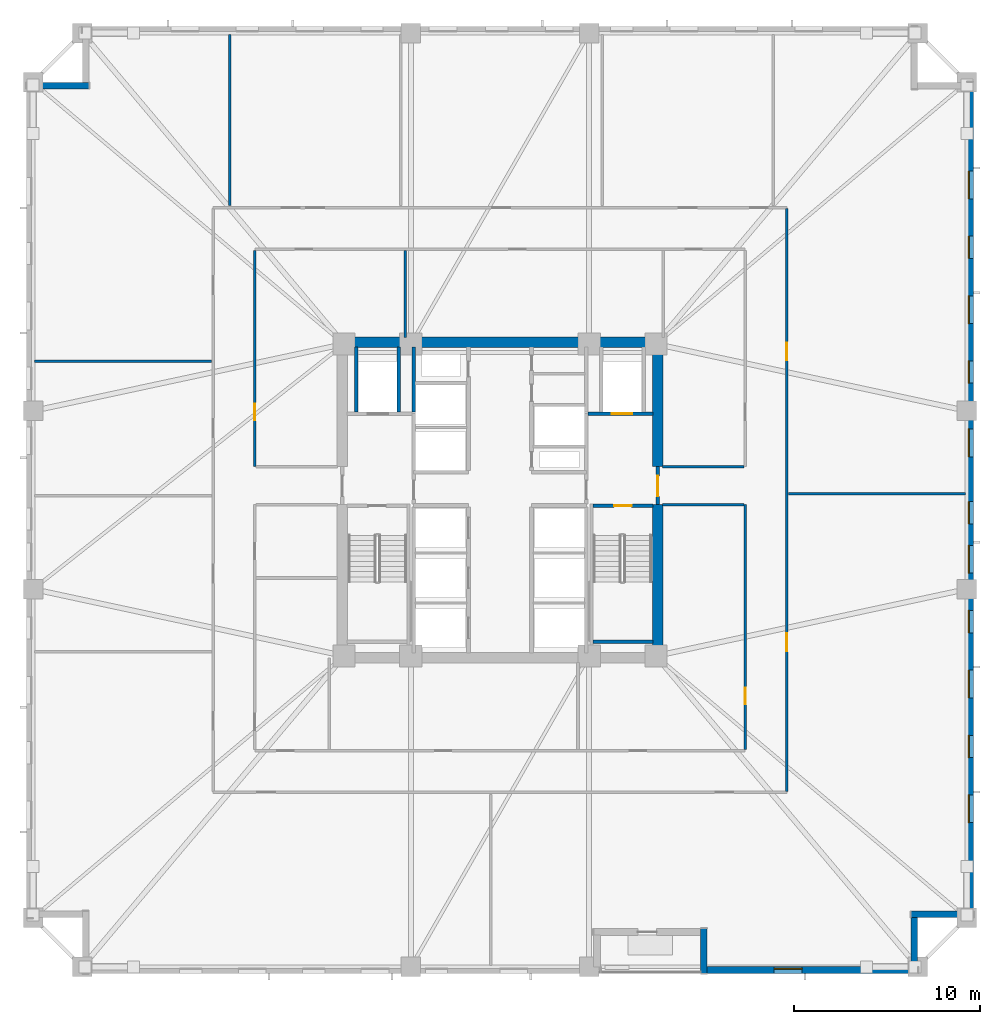
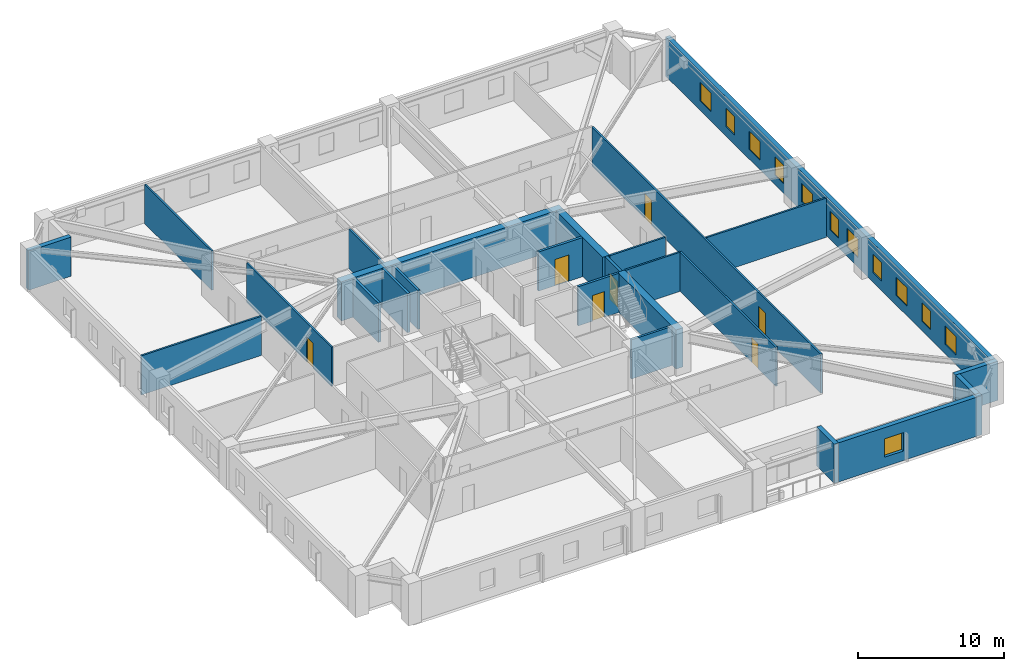
# One storey, part 4 of 11: 25 walls, 12 windows, 7 doors, 19 openings.
"""IFC4 building model written with IfcOpenShell, lengths in metres."""

from ifc_helpers import new_model, si_unit, direction, frame, frame_2d, origin, place, context, subcontext, project, spatial, rectangle, extrude, material, layer, layer_set, type_object, element, fill, save


model = new_model("IFC4")

# Units and contexts
model_context = context("Model", 3, precision=1e-05, world=origin(), true_north=direction((0.0, 1.0)))
body_context = subcontext(model_context, "Body", "Model", "MODEL_VIEW")
ifc_project = project(units=[si_unit("LENGTHUNIT", "METRE"), si_unit("AREAUNIT", "SQUARE_METRE"), si_unit("VOLUMEUNIT", "CUBIC_METRE"), si_unit("PLANEANGLEUNIT", "RADIAN"), si_unit("MASSUNIT", "GRAM", prefix="KILO")], contexts=[model_context])

# Site, building, storey
site_placement = place(None, origin())
site = spatial("IfcSite", under=ifc_project, at=site_placement, CompositionType="ELEMENT")
building_placement = place(site_placement, origin())
building = spatial("IfcBuilding", under=site, at=building_placement, Name="Cairnveth Concourse Tower", CompositionType="ELEMENT")
storey_placement = place(building_placement, frame((0.0, 0.0, 44.5)))
storey = spatial("IfcBuildingStorey", under=building, at=storey_placement, Name="L11", CompositionType="ELEMENT", Elevation=44.5)

# Walls
ifc_material_1 = material(Name="Concrete N80 (80 MPa)", Category="concrete")
ifc_layer_1 = layer(ifc_material_1, 0.550048828125)
ifc_layer_set_1 = layer_set([ifc_layer_1], Name="Concrete N80 (80 MPa)")
wall_type_1 = type_object("IfcWallType", Name="CORE SHEAR WALL 550", PredefinedType="SHEAR", material=ifc_layer_set_1)
wall_1_placement = place(storey_placement, frame((43.22509765625, 47.5, 0.0), z_axis=(0.0, 0.0, 1.0), x_axis=(1.0, 0.0, 0.0)))
element("IfcWall", 1, at=wall_1_placement, inside=storey, type_object=wall_type_1, Name="Core North Shear Wall L11", PredefinedType="SHEAR", context=body_context, shape_type="SweptSolid", body=[
    extrude(rectangle(XDim=17.5498046875, YDim=0.550048828125, at=frame_2d((8.77490234375, 0.0))), origin(), (0.0, 0.0, 1.0), 3.280029296875),
])
wall_2_placement = place(storey_placement, frame((60.5, 30.764892578125, 0.0), z_axis=(0.0, 0.0, 1.0), x_axis=(0.0, 1.0, 0.0)))
element("IfcWall", 2, at=wall_2_placement, inside=storey, type_object=wall_type_1, Name="Core East Shear Wall S L11", PredefinedType="SHEAR", context=body_context, shape_type="SweptSolid", body=[
    extrude(rectangle(XDim=7.985107421875, YDim=0.550048828125, at=frame_2d((3.99267578125, 0.0))), origin(), (0.0, 0.0, 1.0), 3.280029296875),
])
wall_3_placement = place(storey_placement, frame((60.5, 40.800048828125, 0.0), z_axis=(0.0, 0.0, 1.0), x_axis=(0.0, 1.0, 0.0)))
element("IfcWall", 3, at=wall_3_placement, inside=storey, type_object=wall_type_1, Name="Core East Shear Wall N L11", PredefinedType="SHEAR", context=body_context, shape_type="SweptSolid", body=[
    extrude(rectangle(XDim=6.43505859375, YDim=0.550048828125, at=frame_2d((3.217529296875, 0.0))), origin(), (0.0, 0.0, 1.0), 3.280029296875),
])
ifc_material_2 = material(Name="Concrete N50 (50 MPa)", Category="concrete")
ifc_layer_2 = layer(ifc_material_2, 0.179931640625)
ifc_layer_set_2 = layer_set([ifc_layer_2], Name="Concrete N50 (50 MPa)")
wall_type_2 = type_object("IfcWallType", Name="FIRE SHAFT WALL 180", PredefinedType="SOLIDWALL", material=ifc_layer_set_2)
wall_4_placement = place(storey_placement, frame((47.35009765625, 43.735107421875, 0.0), z_axis=(0.0, 0.0, 1.0), x_axis=(0.0, 1.0, 0.0)))
element("IfcWall", 4, at=wall_4_placement, inside=storey, type_object=wall_type_2, Name="Interior Wall IW-L11-031", PredefinedType="SOLIDWALL", context=body_context, shape_type="SweptSolid", body=[
    extrude(rectangle(XDim=3.5048828125, YDim=0.179931640625, at=frame_2d((1.75244140625, 0.0))), origin(), (0.0, 0.0, 1.0), 3.280029296875),
])

# Wall, opening, door
wall_5_placement = place(storey_placement, frame((57.0048828125, 38.68994140625, 0.0), z_axis=(0.0, 0.0, 1.0), x_axis=(1.0, 0.0, 0.0)))
wall_5 = element("IfcWall", 5, at=wall_5_placement, inside=storey, type_object=wall_type_2, Name="Stair ST-2 Shaft Wall NEAR L11", PredefinedType="SOLIDWALL", context=body_context, shape_type="SweptSolid", body=[
    extrude(rectangle(XDim=3.230224609375, YDim=0.179931640625, at=frame_2d((1.615234375, 0.0))), origin(), (0.0, 0.0, 1.0), 3.280029296875),
])
opening_1_placement = place(wall_5_placement, frame((1.139892578125, 0.0, 0.0)))
opening_1 = element("IfcOpeningElement", 6, at=opening_1_placement, cuts=wall_5, Name="Opening ID12", PredefinedType="OPENING", context=body_context, shape_type="SweptSolid", body=[
    extrude(rectangle(XDim=0.949951171875, YDim=2.14990234375, at=frame_2d((0.47509765625, 1.074951171875))), frame((0.0, 0.099853515625, 0.0), z_axis=(0.0, -1.0, 0.0), x_axis=(1.0, 0.0, 0.0)), (0.0, 0.0, 1.0), 0.199951171875),
])
ifc_material_3 = material(Name="Steel Grade 350", Category="steel")
door_type_1 = type_object("IfcDoorType", Name="FIRE STAIR DOOR 950X2150", OperationType="NOTDEFINED", PredefinedType="DOOR", material=ifc_material_3)
door_1_placement = place(opening_1_placement, origin())
door_1 = element("IfcDoor", 7, at=door_1_placement, inside=storey, type_object=door_type_1, Name="Stair ST-2 Fire Door L11", OperationType="SINGLE_SWING_RIGHT", OverallHeight=2.14990234375, OverallWidth=0.949951171875, PredefinedType="DOOR", context=body_context, shape_type="SweptSolid", body=[
    extrude(rectangle(XDim=0.949951171875, YDim=2.14990234375, at=frame_2d((0.47509765625, 1.074951171875))), frame((0.0, 0.02490234375, 0.0), z_axis=(0.0, -1.0, 0.0), x_axis=(1.0, 0.0, 0.0)), (0.0, 0.0, 1.0), 0.050048828125),
])
fill(opening_1, door_1)

# Walls
wall_6_placement = place(storey_placement, frame((57.0048828125, 31.360107421875, 0.0), z_axis=(0.0, 0.0, 1.0), x_axis=(1.0, 0.0, 0.0)))
element("IfcWall", 8, at=wall_6_placement, inside=storey, type_object=wall_type_2, Name="Stair ST-2 Shaft Wall FAR L11", PredefinedType="SOLIDWALL", context=body_context, shape_type="SweptSolid", body=[
    extrude(rectangle(XDim=3.230224609375, YDim=0.179931640625, at=frame_2d((1.615234375, 0.0))), origin(), (0.0, 0.0, 1.0), 3.280029296875),
])
ifc_layer_3 = layer(ifc_material_2, 0.199951171875)
ifc_layer_set_3 = layer_set([ifc_layer_3], Name="Concrete N50 (50 MPa)")
wall_type_3 = type_object("IfcWallType", Name="FIRE SHAFT WALL 200", PredefinedType="SOLIDWALL", material=ifc_layer_set_3)
for number, where, z_axis, x_axis, name in (
    (9, (46.550048828125, 43.735107421875, 0.0), (0.0, 0.0, 1.0), (0.0, 1.0, 0.0), "Interior Wall IW-L11-018"),
    (10, (44.25, 43.735107421875, 0.0), (0.0, 0.0, 1.0), (0.0, 1.0, 0.0), "Interior Wall IW-L11-019"),
):
    element("IfcWall", number, at=place(storey_placement, frame(where, z_axis=z_axis, x_axis=x_axis)), inside=storey, type_object=wall_type_3, Name=name, PredefinedType="SOLIDWALL", context=body_context, shape_type="SweptSolid", body=[
        extrude(rectangle(XDim=3.5048828125, YDim=0.199951171875, at=frame_2d((1.75244140625, 0.0))), origin(), (0.0, 0.0, 1.0), 3.280029296875),
    ])

# Wall, opening, door
wall_7_placement = place(storey_placement, frame((60.5, 38.75, 0.0), z_axis=(0.0, 0.0, 1.0), x_axis=(0.0, 1.0, 0.0)))
wall_7 = element("IfcWall", 11, at=wall_7_placement, inside=storey, type_object=wall_type_3, Name="Interior Wall IW-L11-020", PredefinedType="SOLIDWALL", context=body_context, shape_type="SweptSolid", body=[
    extrude(rectangle(XDim=2.050048828125, YDim=0.199951171875, at=frame_2d((1.02490234375, 0.0))), origin(), (0.0, 0.0, 1.0), 3.280029296875),
])
opening_2_placement = place(wall_7_placement, frame((0.449951171875, 0.0, 0.0)))
opening_2 = element("IfcOpeningElement", 12, at=opening_2_placement, cuts=wall_7, Name="Opening ID06", PredefinedType="OPENING", context=body_context, shape_type="SweptSolid", body=[
    extrude(rectangle(XDim=1.10009765625, YDim=2.14990234375, at=frame_2d((0.550048828125, 1.074951171875))), frame((0.0, 0.10986328125, 0.0), z_axis=(0.0, -1.0, 0.0), x_axis=(1.0, 0.0, 0.0)), (0.0, 0.0, 1.0), 0.219970703125),
])
door_type_2 = type_object("IfcDoorType", Name="FIRE CORRIDOR DOOR 1100X2150", OperationType="NOTDEFINED", PredefinedType="DOOR", material=ifc_material_3)
door_2_placement = place(opening_2_placement, origin())
door_2 = element("IfcDoor", 13, at=door_2_placement, inside=storey, type_object=door_type_2, Name="East Wing to FF Lobby Door L11", OperationType="SINGLE_SWING_RIGHT", OverallHeight=2.14990234375, OverallWidth=1.10009765625, PredefinedType="DOOR", context=body_context, shape_type="SweptSolid", body=[
    extrude(rectangle(XDim=1.10009765625, YDim=2.14990234375, at=frame_2d((0.550048828125, 1.074951171875))), frame((0.0, 0.02490234375, 0.0), z_axis=(0.0, -1.0, 0.0), x_axis=(1.0, 0.0, 0.0)), (0.0, 0.0, 1.0), 0.050048828125),
])
fill(opening_2, door_2)

wall_8_placement = place(storey_placement, frame((56.735107421875, 43.64990234375, 0.0), z_axis=(0.0, 0.0, 1.0), x_axis=(1.0, 0.0, 0.0)))
wall_8 = element("IfcWall", 14, at=wall_8_placement, inside=storey, type_object=wall_type_3, Name="Interior Wall IW-L11-022", PredefinedType="SOLIDWALL", context=body_context, shape_type="SweptSolid", body=[
    extrude(rectangle(XDim=3.5048828125, YDim=0.199951171875, at=frame_2d((1.75244140625, 0.0))), origin(), (0.0, 0.0, 1.0), 3.280029296875),
])
opening_3_placement = place(wall_8_placement, frame((1.294921875, 0.0, 0.0)))
opening_3 = element("IfcOpeningElement", 15, at=opening_3_placement, cuts=wall_8, Name="Opening LD-1", PredefinedType="OPENING", context=body_context, shape_type="SweptSolid", body=[
    extrude(rectangle(XDim=1.10009765625, YDim=2.199951171875, at=frame_2d((0.550048828125, 1.10009765625))), frame((0.0, 0.10986328125, 0.0), z_axis=(0.0, -1.0, 0.0), x_axis=(1.0, 0.0, 0.0)), (0.0, 0.0, 1.0), 0.219970703125),
])
ifc_material_4 = material(Name="Architectural Bronze Anodised Aluminium 6063-T6", Category="aluminium")
door_type_3 = type_object("IfcDoorType", Name="LIFT LANDING DOOR 1100X2200", OperationType="SLIDING_TO_LEFT", PredefinedType="DOOR", material=ifc_material_4)
door_3_placement = place(opening_3_placement, origin())
door_3 = element("IfcDoor", 16, at=door_3_placement, inside=storey, type_object=door_type_3, Name="Lift FFL2 Landing Door L11", OperationType="SLIDING_TO_LEFT", OverallHeight=2.199951171875, OverallWidth=1.10009765625, PredefinedType="DOOR", context=body_context, shape_type="SweptSolid", body=[
    extrude(rectangle(XDim=1.10009765625, YDim=2.199951171875, at=frame_2d((0.550048828125, 1.10009765625))), frame((0.0, 0.02490234375, 0.0), z_axis=(0.0, -1.0, 0.0), x_axis=(1.0, 0.0, 0.0)), (0.0, 0.0, 1.0), 0.050048828125),
])
fill(opening_3, door_3)

# Wall, openings, doors
ifc_material_5 = material(Name="Gypsum Plasterboard Partition", Category="gypsum")
ifc_layer_4 = layer(ifc_material_5, 0.139892578125)
ifc_layer_set_4 = layer_set([ifc_layer_4], Name="Gypsum Plasterboard Partition")
wall_type_4 = type_object("IfcWallType", Name="GYPSUM STUD PARTITION 140", PredefinedType="PARTITIONING", material=ifc_layer_set_4)
wall_9_placement = place(storey_placement, frame((67.449951171875, 23.304931640625, 0.0), z_axis=(0.0, 0.0, 1.0), x_axis=(0.0, 1.0, 0.0)))
wall_9 = element("IfcWall", 17, at=wall_9_placement, inside=storey, type_object=wall_type_4, Name="Interior Wall IW-L11-041", PredefinedType="PARTITIONING", context=body_context, shape_type="SweptSolid", body=[
    extrude(rectangle(XDim=31.39013671875, YDim=0.139892578125, at=frame_2d((15.695068359375, 0.0))), origin(), (0.0, 0.0, 1.0), 3.280029296875),
])
opening_4_placement = place(wall_9_placement, frame((7.560546875, 0.0, 0.0)))
opening_4 = element("IfcOpeningElement", 18, at=opening_4_placement, cuts=wall_9, Name="Opening ID11", PredefinedType="OPENING", context=body_context, shape_type="SweptSolid", body=[
    extrude(rectangle(XDim=0.9599609375, YDim=2.1201171875, at=frame_2d((0.47998046875, 1.06005859375))), frame((0.0, 0.079833984375, 0.0), z_axis=(0.0, -1.0, 0.0), x_axis=(1.0, 0.0, 0.0)), (0.0, 0.0, 1.0), 0.159912109375),
])
opening_5_placement = place(wall_9_placement, frame((23.210693359375, 0.0, 0.0)))
opening_5 = element("IfcOpeningElement", 19, at=opening_5_placement, cuts=wall_9, Name="Opening ID11", PredefinedType="OPENING", context=body_context, shape_type="SweptSolid", body=[
    extrude(rectangle(XDim=0.9599609375, YDim=2.1201171875, at=frame_2d((0.47998046875, 1.06005859375))), frame((0.0, 0.079833984375, 0.0), z_axis=(0.0, -1.0, 0.0), x_axis=(1.0, 0.0, 0.0)), (0.0, 0.0, 1.0), 0.159912109375),
])
ifc_material_6 = material(Name="Solid Core Hardwood Timber Leaf", Category="wood")
door_type_4 = type_object("IfcDoorType", Name="INTERIOR SINGLE DOOR 960X2150", OperationType="NOTDEFINED", PredefinedType="DOOR", material=ifc_material_6)
door_4_placement = place(opening_4_placement, origin())
door_4 = element("IfcDoor", 20, at=door_4_placement, inside=storey, type_object=door_type_4, Name="Office Door L11-E1", OperationType="SINGLE_SWING_RIGHT", OverallHeight=2.1201171875, OverallWidth=0.9599609375, PredefinedType="DOOR", context=body_context, shape_type="SweptSolid", body=[
    extrude(rectangle(XDim=0.9599609375, YDim=2.1201171875, at=frame_2d((0.47998046875, 1.06005859375))), frame((0.0, 0.02490234375, 0.0), z_axis=(0.0, -1.0, 0.0), x_axis=(1.0, 0.0, 0.0)), (0.0, 0.0, 1.0), 0.050048828125),
])
fill(opening_4, door_4)
door_5_placement = place(opening_5_placement, origin())
door_5 = element("IfcDoor", 21, at=door_5_placement, inside=storey, type_object=door_type_4, Name="Office Door L11-E2", OperationType="SINGLE_SWING_LEFT", OverallHeight=2.1201171875, OverallWidth=0.9599609375, PredefinedType="DOOR", context=body_context, shape_type="SweptSolid", body=[
    extrude(rectangle(XDim=0.9599609375, YDim=2.1201171875, at=frame_2d((0.47998046875, 1.06005859375))), frame((0.0, 0.02490234375, 0.0), z_axis=(0.0, -1.0, 0.0), x_axis=(1.0, 0.0, 0.0)), (0.0, 0.0, 1.0), 0.050048828125),
])
fill(opening_5, door_5)

# Wall, opening, door
wall_10_placement = place(storey_placement, frame((38.800048828125, 40.800048828125, 0.0), z_axis=(0.0, 0.0, 1.0), x_axis=(0.0, 1.0, 0.0)))
wall_10 = element("IfcWall", 22, at=wall_10_placement, inside=storey, type_object=wall_type_4, Name="Interior Wall IW-L11-045", PredefinedType="PARTITIONING", context=body_context, shape_type="SweptSolid", body=[
    extrude(rectangle(XDim=11.64501953125, YDim=0.139892578125, at=frame_2d((5.822509765625, 0.0))), origin(), (0.0, 0.0, 1.0), 3.280029296875),
])
opening_6_placement = place(wall_10_placement, frame((2.5, 0.0, 0.0)))
opening_6 = element("IfcOpeningElement", 23, at=opening_6_placement, cuts=wall_10, Name="Opening ID18", PredefinedType="OPENING", context=body_context, shape_type="SweptSolid", body=[
    extrude(rectangle(XDim=0.8798828125, YDim=2.10009765625, at=frame_2d((0.43994140625, 1.050048828125))), frame((0.0, 0.079833984375, 0.0), z_axis=(0.0, -1.0, 0.0), x_axis=(1.0, 0.0, 0.0)), (0.0, 0.0, 1.0), 0.159912109375),
])
door_type_5 = type_object("IfcDoorType", Name="INTERIOR SINGLE DOOR 880X2100", OperationType="NOTDEFINED", PredefinedType="DOOR", material=ifc_material_6)
door_6_placement = place(opening_6_placement, origin())
door_6 = element("IfcDoor", 24, at=door_6_placement, inside=storey, type_object=door_type_5, Name="Interior Door DR-L11-022", OperationType="SINGLE_SWING_RIGHT", OverallHeight=2.10009765625, OverallWidth=0.8798828125, PredefinedType="DOOR", context=body_context, shape_type="SweptSolid", body=[
    extrude(rectangle(XDim=0.8798828125, YDim=2.10009765625, at=frame_2d((0.43994140625, 1.050048828125))), frame((0.0, 0.02490234375, 0.0), z_axis=(0.0, -1.0, 0.0), x_axis=(1.0, 0.0, 0.0)), (0.0, 0.0, 1.0), 0.050048828125),
])
fill(opening_6, door_6)

wall_11_placement = place(storey_placement, frame((65.199951171875, 25.554931640625, 0.0), z_axis=(0.0, 0.0, 1.0), x_axis=(0.0, 1.0, 0.0)))
wall_11 = element("IfcWall", 25, at=wall_11_placement, inside=storey, type_object=wall_type_4, Name="Interior Wall IW-L11-048", PredefinedType="PARTITIONING", context=body_context, shape_type="SweptSolid", body=[
    extrude(rectangle(XDim=13.195068359375, YDim=0.139892578125, at=frame_2d((6.59765625, 0.0))), origin(), (0.0, 0.0, 1.0), 3.280029296875),
])
opening_7_placement = place(wall_11_placement, frame((2.445068359375, 0.0, 0.0)))
opening_7 = element("IfcOpeningElement", 26, at=opening_7_placement, cuts=wall_11, Name="Opening ID18", PredefinedType="OPENING", context=body_context, shape_type="SweptSolid", body=[
    extrude(rectangle(XDim=0.8798828125, YDim=2.10009765625, at=frame_2d((0.43994140625, 1.050048828125))), frame((0.0, 0.079833984375, 0.0), z_axis=(0.0, -1.0, 0.0), x_axis=(1.0, 0.0, 0.0)), (0.0, 0.0, 1.0), 0.159912109375),
])
door_7_placement = place(opening_7_placement, origin())
door_7 = element("IfcDoor", 27, at=door_7_placement, inside=storey, type_object=door_type_5, Name="Interior Door DR-L11-023", OperationType="SINGLE_SWING_LEFT", OverallHeight=2.10009765625, OverallWidth=0.8798828125, PredefinedType="DOOR", context=body_context, shape_type="SweptSolid", body=[
    extrude(rectangle(XDim=0.8798828125, YDim=2.10009765625, at=frame_2d((0.43994140625, 1.050048828125))), frame((0.0, 0.02490234375, 0.0), z_axis=(0.0, -1.0, 0.0), x_axis=(1.0, 0.0, 0.0)), (0.0, 0.0, 1.0), 0.050048828125),
])
fill(opening_7, door_7)

# Walls
for number, where, z_axis, x_axis, name in (
    (28, (60.760009765625, 38.75, 0.0), (0.0, 0.0, 1.0), (1.0, 0.0, 0.0), "Interior Wall IW-L11-050"),
    (29, (60.760009765625, 40.800048828125, 0.0), (0.0, 0.0, 1.0), (1.0, 0.0, 0.0), "Interior Wall IW-L11-051"),
):
    element("IfcWall", number, at=place(storey_placement, frame(where, z_axis=z_axis, x_axis=x_axis)), inside=storey, type_object=wall_type_4, Name=name, PredefinedType="PARTITIONING", context=body_context, shape_type="SweptSolid", body=[
        extrude(rectangle(XDim=4.385009765625, YDim=0.139892578125, at=frame_2d((2.1923828125, 0.0))), origin(), (0.0, 0.0, 1.0), 3.280029296875),
    ])
wall_12_placement = place(storey_placement, frame((46.89990234375, 47.760009765625, 0.0), z_axis=(0.0, 0.0, 1.0), x_axis=(0.0, 1.0, 0.0)))
element("IfcWall", 30, at=wall_12_placement, inside=storey, type_object=wall_type_4, Name="Interior Wall IW-L11-054", PredefinedType="PARTITIONING", context=body_context, shape_type="SweptSolid", body=[
    extrude(rectangle(XDim=4.68505859375, YDim=0.139892578125, at=frame_2d((2.342529296875, 0.0))), origin(), (0.0, 0.0, 1.0), 3.280029296875),
])
wall_13_placement = place(storey_placement, frame((37.439453125, 54.85009765625, 0.0), z_axis=(0.0, 0.0, 1.0), x_axis=(0.0, 1.0, 0.0)))
element("IfcWall", 31, at=wall_13_placement, inside=storey, type_object=wall_type_4, Name="Interior Wall IW-L11-058", PredefinedType="PARTITIONING", context=body_context, shape_type="SweptSolid", body=[
    extrude(rectangle(XDim=9.22998046875, YDim=0.139892578125, at=frame_2d((4.614990234375, 0.0))), origin(), (0.0, 0.0, 1.0), 3.280029296875),
])
for number, where, z_axis, x_axis, name in (
    (32, (26.919921875, 46.48388671875, 0.0), (0.0, 0.0, 1.0), (1.0, 0.0, 0.0), "Interior Wall IW-L11-064"),
    (33, (67.550048828125, 39.34130859375, 0.0), (0.0, 0.0, 1.0), (1.0, 0.0, 0.0), "Interior Wall IW-L11-065"),
):
    element("IfcWall", number, at=place(storey_placement, frame(where, z_axis=z_axis, x_axis=x_axis)), inside=storey, type_object=wall_type_4, Name=name, PredefinedType="PARTITIONING", context=body_context, shape_type="SweptSolid", body=[
        extrude(rectangle(XDim=9.530029296875, YDim=0.139892578125, at=frame_2d((4.76513671875, 0.0))), origin(), (0.0, 0.0, 1.0), 3.280029296875),
    ])
ifc_material_7 = material(Name="Hawthorn Red-Ochre Fired Clay Brick Masonry", Category="masonry")
ifc_layer_5 = layer(ifc_material_7, 0.360107421875)
ifc_layer_set_5 = layer_set([ifc_layer_5], Name="Hawthorn Red-Ochre Fired Clay Brick Masonry")
wall_type_5 = type_object("IfcWallType", Name="ZONE 1 BRICK PIER SPANDREL WALL 360", PredefinedType="SOLIDWALL", material=ifc_layer_set_5)
wall_14_placement = place(storey_placement, frame((26.5, 61.320068359375, 0.0), z_axis=(0.0, 0.0, 1.0), x_axis=(1.0, 0.0, 0.0)))
element("IfcWall", 34, at=wall_14_placement, inside=storey, type_object=wall_type_5, Name="Exterior Wall EW-L11-S04", PredefinedType="SOLIDWALL", context=body_context, shape_type="SweptSolid", body=[
    extrude(rectangle(XDim=3.360107421875, YDim=0.360107421875, at=frame_2d((1.68017578125, 0.0))), origin(), (0.0, 0.0, 1.0), 3.280029296875),
])

# Wall, openings, windows
wall_15_placement = place(storey_placement, frame((77.320068359375, 61.5, 0.0), z_axis=(0.0, 0.0, 1.0), x_axis=(0.0, -1.0, 0.0)))
wall_15 = element("IfcWall", 35, at=wall_15_placement, inside=storey, type_object=wall_type_5, Name="Exterior Wall EW-L11-S09", PredefinedType="SOLIDWALL", context=body_context, shape_type="SweptSolid", body=[
    extrude(rectangle(XDim=44.662109375, YDim=0.360107421875, at=frame_2d((22.3310546875, 0.0))), origin(), (0.0, 0.0, 1.0), 3.280029296875),
])
opening_8_placement = place(wall_15_placement, frame((4.780029296875, 0.0, 0.800048828125)))
opening_8 = element("IfcOpeningElement", 36, at=opening_8_placement, cuts=wall_15, Name="Opening W03", PredefinedType="OPENING", context=body_context, shape_type="SweptSolid", body=[
    extrude(rectangle(XDim=1.5, YDim=1.5439453125, at=frame_2d((0.75, 0.77197265625))), frame((0.0, 0.18994140625, 0.0), z_axis=(0.0, -1.0, 0.0), x_axis=(1.0, 0.0, 0.0)), (0.0, 0.0, 1.0), 0.380126953125),
])
opening_9_placement = place(wall_15_placement, frame((8.290283203125, 0.0, 0.800048828125)))
opening_9 = element("IfcOpeningElement", 37, at=opening_9_placement, cuts=wall_15, Name="Opening W01", PredefinedType="OPENING", context=body_context, shape_type="SweptSolid", body=[
    extrude(rectangle(XDim=1.199951171875, YDim=1.5439453125, at=frame_2d((0.60009765625, 0.77197265625))), frame((0.0, 0.18994140625, 0.0), z_axis=(0.0, -1.0, 0.0), x_axis=(1.0, 0.0, 0.0)), (0.0, 0.0, 1.0), 0.380126953125),
])
opening_10_placement = place(wall_15_placement, frame((11.50048828125, 0.0, 0.800048828125)))
opening_10 = element("IfcOpeningElement", 38, at=opening_10_placement, cuts=wall_15, Name="Opening W03", PredefinedType="OPENING", context=body_context, shape_type="SweptSolid", body=[
    extrude(rectangle(XDim=1.5, YDim=1.5439453125, at=frame_2d((0.75, 0.77197265625))), frame((0.0, 0.18994140625, 0.0), z_axis=(0.0, -1.0, 0.0), x_axis=(1.0, 0.0, 0.0)), (0.0, 0.0, 1.0), 0.380126953125),
])
opening_11_placement = place(wall_15_placement, frame((15.010498046875, 0.0, 0.800048828125)))
opening_11 = element("IfcOpeningElement", 39, at=opening_11_placement, cuts=wall_15, Name="Opening W01", PredefinedType="OPENING", context=body_context, shape_type="SweptSolid", body=[
    extrude(rectangle(XDim=1.199951171875, YDim=1.5439453125, at=frame_2d((0.60009765625, 0.77197265625))), frame((0.0, 0.18994140625, 0.0), z_axis=(0.0, -1.0, 0.0), x_axis=(1.0, 0.0, 0.0)), (0.0, 0.0, 1.0), 0.380126953125),
])
opening_12_placement = place(wall_15_placement, frame((18.6708984375, 0.0, 0.800048828125)))
opening_12 = element("IfcOpeningElement", 40, at=opening_12_placement, cuts=wall_15, Name="Opening W03", PredefinedType="OPENING", context=body_context, shape_type="SweptSolid", body=[
    extrude(rectangle(XDim=1.5, YDim=1.5439453125, at=frame_2d((0.75, 0.77197265625))), frame((0.0, 0.18994140625, 0.0), z_axis=(0.0, -1.0, 0.0), x_axis=(1.0, 0.0, 0.0)), (0.0, 0.0, 1.0), 0.380126953125),
])
opening_13_placement = place(wall_15_placement, frame((22.5810546875, 0.0, 0.800048828125)))
opening_13 = element("IfcOpeningElement", 41, at=opening_13_placement, cuts=wall_15, Name="Opening W01", PredefinedType="OPENING", context=body_context, shape_type="SweptSolid", body=[
    extrude(rectangle(XDim=1.199951171875, YDim=1.5439453125, at=frame_2d((0.60009765625, 0.77197265625))), frame((0.0, 0.18994140625, 0.0), z_axis=(0.0, -1.0, 0.0), x_axis=(1.0, 0.0, 0.0)), (0.0, 0.0, 1.0), 0.380126953125),
])
opening_14_placement = place(wall_15_placement, frame((24.941162109375, 0.0, 0.800048828125)))
opening_14 = element("IfcOpeningElement", 42, at=opening_14_placement, cuts=wall_15, Name="Opening W03", PredefinedType="OPENING", context=body_context, shape_type="SweptSolid", body=[
    extrude(rectangle(XDim=1.5, YDim=1.5439453125, at=frame_2d((0.75, 0.77197265625))), frame((0.0, 0.18994140625, 0.0), z_axis=(0.0, -1.0, 0.0), x_axis=(1.0, 0.0, 0.0)), (0.0, 0.0, 1.0), 0.380126953125),
])
opening_15_placement = place(wall_15_placement, frame((28.451416015625, 0.0, 0.800048828125)))
opening_15 = element("IfcOpeningElement", 43, at=opening_15_placement, cuts=wall_15, Name="Opening W01", PredefinedType="OPENING", context=body_context, shape_type="SweptSolid", body=[
    extrude(rectangle(XDim=1.199951171875, YDim=1.5439453125, at=frame_2d((0.60009765625, 0.77197265625))), frame((0.0, 0.18994140625, 0.0), z_axis=(0.0, -1.0, 0.0), x_axis=(1.0, 0.0, 0.0)), (0.0, 0.0, 1.0), 0.380126953125),
])
opening_16_placement = place(wall_15_placement, frame((31.66162109375, 0.0, 0.800048828125)))
opening_16 = element("IfcOpeningElement", 44, at=opening_16_placement, cuts=wall_15, Name="Opening W03", PredefinedType="OPENING", context=body_context, shape_type="SweptSolid", body=[
    extrude(rectangle(XDim=1.5, YDim=1.5439453125, at=frame_2d((0.75, 0.77197265625))), frame((0.0, 0.18994140625, 0.0), z_axis=(0.0, -1.0, 0.0), x_axis=(1.0, 0.0, 0.0)), (0.0, 0.0, 1.0), 0.380126953125),
])
opening_17_placement = place(wall_15_placement, frame((35.171630859375, 0.0, 0.800048828125)))
opening_17 = element("IfcOpeningElement", 45, at=opening_17_placement, cuts=wall_15, Name="Opening W01", PredefinedType="OPENING", context=body_context, shape_type="SweptSolid", body=[
    extrude(rectangle(XDim=1.199951171875, YDim=1.5439453125, at=frame_2d((0.60009765625, 0.77197265625))), frame((0.0, 0.18994140625, 0.0), z_axis=(0.0, -1.0, 0.0), x_axis=(1.0, 0.0, 0.0)), (0.0, 0.0, 1.0), 0.380126953125),
])
opening_18_placement = place(wall_15_placement, frame((38.3818359375, 0.0, 0.800048828125)))
opening_18 = element("IfcOpeningElement", 46, at=opening_18_placement, cuts=wall_15, Name="Opening W03", PredefinedType="OPENING", context=body_context, shape_type="SweptSolid", body=[
    extrude(rectangle(XDim=1.5, YDim=1.5439453125, at=frame_2d((0.75, 0.77197265625))), frame((0.0, 0.18994140625, 0.0), z_axis=(0.0, -1.0, 0.0), x_axis=(1.0, 0.0, 0.0)), (0.0, 0.0, 1.0), 0.380126953125),
])
ifc_material_8 = material(Name="Double Glazed Low-E Clear Glass", Category="glass")
window_type_1 = type_object("IfcWindowType", Name="DEEP-SET GOTHIC LANCET WINDOW 1200X1800", PartitioningType="DOUBLE_PANEL_VERTICAL", PredefinedType="WINDOW", material=ifc_material_8)
window_1_placement = place(opening_9_placement, origin())
window_1 = element("IfcWindow", 47, at=window_1_placement, inside=storey, type_object=window_type_1, Name="Gothic Lancet Window L11-9-2", OverallHeight=1.5439453125, OverallWidth=1.199951171875, PartitioningType="SINGLE_PANEL", PredefinedType="WINDOW", context=body_context, shape_type="SweptSolid", body=[
    extrude(rectangle(XDim=1.199951171875, YDim=1.5439453125, at=frame_2d((0.60009765625, 0.77197265625))), frame((0.0, -0.050048828125, 0.0), z_axis=(0.0, -1.0, 0.0), x_axis=(1.0, 0.0, 0.0)), (0.0, 0.0, 1.0), 0.06005859375),
])
fill(opening_9, window_1)
window_2_placement = place(opening_11_placement, origin())
window_2 = element("IfcWindow", 48, at=window_2_placement, inside=storey, type_object=window_type_1, Name="Gothic Lancet Window L11-9-4", OverallHeight=1.5439453125, OverallWidth=1.199951171875, PartitioningType="SINGLE_PANEL", PredefinedType="WINDOW", context=body_context, shape_type="SweptSolid", body=[
    extrude(rectangle(XDim=1.199951171875, YDim=1.5439453125, at=frame_2d((0.60009765625, 0.77197265625))), frame((0.0, -0.050048828125, 0.0), z_axis=(0.0, -1.0, 0.0), x_axis=(1.0, 0.0, 0.0)), (0.0, 0.0, 1.0), 0.06005859375),
])
fill(opening_11, window_2)
window_3_placement = place(opening_13_placement, origin())
window_3 = element("IfcWindow", 49, at=window_3_placement, inside=storey, type_object=window_type_1, Name="Gothic Lancet Window L11-9-6", OverallHeight=1.5439453125, OverallWidth=1.199951171875, PartitioningType="SINGLE_PANEL", PredefinedType="WINDOW", context=body_context, shape_type="SweptSolid", body=[
    extrude(rectangle(XDim=1.199951171875, YDim=1.5439453125, at=frame_2d((0.60009765625, 0.77197265625))), frame((0.0, -0.050048828125, 0.0), z_axis=(0.0, -1.0, 0.0), x_axis=(1.0, 0.0, 0.0)), (0.0, 0.0, 1.0), 0.06005859375),
])
fill(opening_13, window_3)
window_4_placement = place(opening_15_placement, origin())
window_4 = element("IfcWindow", 50, at=window_4_placement, inside=storey, type_object=window_type_1, Name="Gothic Lancet Window L11-9-8", OverallHeight=1.5439453125, OverallWidth=1.199951171875, PartitioningType="SINGLE_PANEL", PredefinedType="WINDOW", context=body_context, shape_type="SweptSolid", body=[
    extrude(rectangle(XDim=1.199951171875, YDim=1.5439453125, at=frame_2d((0.60009765625, 0.77197265625))), frame((0.0, -0.050048828125, 0.0), z_axis=(0.0, -1.0, 0.0), x_axis=(1.0, 0.0, 0.0)), (0.0, 0.0, 1.0), 0.06005859375),
])
fill(opening_15, window_4)
window_5_placement = place(opening_17_placement, origin())
window_5 = element("IfcWindow", 51, at=window_5_placement, inside=storey, type_object=window_type_1, Name="Gothic Lancet Window L11-9-10", OverallHeight=1.5439453125, OverallWidth=1.199951171875, PartitioningType="SINGLE_PANEL", PredefinedType="WINDOW", context=body_context, shape_type="SweptSolid", body=[
    extrude(rectangle(XDim=1.199951171875, YDim=1.5439453125, at=frame_2d((0.60009765625, 0.77197265625))), frame((0.0, -0.050048828125, 0.0), z_axis=(0.0, -1.0, 0.0), x_axis=(1.0, 0.0, 0.0)), (0.0, 0.0, 1.0), 0.06005859375),
])
fill(opening_17, window_5)
window_type_2 = type_object("IfcWindowType", Name="DEEP-SET GOTHIC LANCET WINDOW 1500X1800", PartitioningType="DOUBLE_PANEL_VERTICAL", PredefinedType="WINDOW", material=ifc_material_8)
window_6_placement = place(opening_8_placement, origin())
window_6 = element("IfcWindow", 52, at=window_6_placement, inside=storey, type_object=window_type_2, Name="Gothic Lancet Window L11-9-1", OverallHeight=1.5439453125, OverallWidth=1.5, PartitioningType="SINGLE_PANEL", PredefinedType="WINDOW", context=body_context, shape_type="SweptSolid", body=[
    extrude(rectangle(XDim=1.5, YDim=1.5439453125, at=frame_2d((0.75, 0.77197265625))), frame((0.0, -0.050048828125, 0.0), z_axis=(0.0, -1.0, 0.0), x_axis=(1.0, 0.0, 0.0)), (0.0, 0.0, 1.0), 0.06005859375),
])
fill(opening_8, window_6)
window_7_placement = place(opening_10_placement, origin())
window_7 = element("IfcWindow", 53, at=window_7_placement, inside=storey, type_object=window_type_2, Name="Gothic Lancet Window L11-9-3", OverallHeight=1.5439453125, OverallWidth=1.5, PartitioningType="SINGLE_PANEL", PredefinedType="WINDOW", context=body_context, shape_type="SweptSolid", body=[
    extrude(rectangle(XDim=1.5, YDim=1.5439453125, at=frame_2d((0.75, 0.77197265625))), frame((0.0, -0.050048828125, 0.0), z_axis=(0.0, -1.0, 0.0), x_axis=(1.0, 0.0, 0.0)), (0.0, 0.0, 1.0), 0.06005859375),
])
fill(opening_10, window_7)
window_8_placement = place(opening_12_placement, origin())
window_8 = element("IfcWindow", 54, at=window_8_placement, inside=storey, type_object=window_type_2, Name="Gothic Lancet Window L11-9-5", OverallHeight=1.5439453125, OverallWidth=1.5, PartitioningType="SINGLE_PANEL", PredefinedType="WINDOW", context=body_context, shape_type="SweptSolid", body=[
    extrude(rectangle(XDim=1.5, YDim=1.5439453125, at=frame_2d((0.75, 0.77197265625))), frame((0.0, -0.050048828125, 0.0), z_axis=(0.0, -1.0, 0.0), x_axis=(1.0, 0.0, 0.0)), (0.0, 0.0, 1.0), 0.06005859375),
])
fill(opening_12, window_8)
window_9_placement = place(opening_14_placement, origin())
window_9 = element("IfcWindow", 55, at=window_9_placement, inside=storey, type_object=window_type_2, Name="Gothic Lancet Window L11-9-7", OverallHeight=1.5439453125, OverallWidth=1.5, PartitioningType="SINGLE_PANEL", PredefinedType="WINDOW", context=body_context, shape_type="SweptSolid", body=[
    extrude(rectangle(XDim=1.5, YDim=1.5439453125, at=frame_2d((0.75, 0.77197265625))), frame((0.0, -0.050048828125, 0.0), z_axis=(0.0, -1.0, 0.0), x_axis=(1.0, 0.0, 0.0)), (0.0, 0.0, 1.0), 0.06005859375),
])
fill(opening_14, window_9)
window_10_placement = place(opening_16_placement, origin())
window_10 = element("IfcWindow", 56, at=window_10_placement, inside=storey, type_object=window_type_2, Name="Gothic Lancet Window L11-9-9", OverallHeight=1.5439453125, OverallWidth=1.5, PartitioningType="SINGLE_PANEL", PredefinedType="WINDOW", context=body_context, shape_type="SweptSolid", body=[
    extrude(rectangle(XDim=1.5, YDim=1.5439453125, at=frame_2d((0.75, 0.77197265625))), frame((0.0, -0.050048828125, 0.0), z_axis=(0.0, -1.0, 0.0), x_axis=(1.0, 0.0, 0.0)), (0.0, 0.0, 1.0), 0.06005859375),
])
fill(opening_16, window_10)
window_11_placement = place(opening_18_placement, origin())
window_11 = element("IfcWindow", 57, at=window_11_placement, inside=storey, type_object=window_type_2, Name="Gothic Lancet Window L11-9-11", OverallHeight=1.5439453125, OverallWidth=1.5, PartitioningType="SINGLE_PANEL", PredefinedType="WINDOW", context=body_context, shape_type="SweptSolid", body=[
    extrude(rectangle(XDim=1.5, YDim=1.5439453125, at=frame_2d((0.75, 0.77197265625))), frame((0.0, -0.050048828125, 0.0), z_axis=(0.0, -1.0, 0.0), x_axis=(1.0, 0.0, 0.0)), (0.0, 0.0, 1.0), 0.06005859375),
])
fill(opening_18, window_11)

# Walls
wall_16_placement = place(storey_placement, frame((77.5, 16.679931640625, 0.0), z_axis=(0.0, 0.0, 1.0), x_axis=(-1.0, 0.0, 0.0)))
element("IfcWall", 58, at=wall_16_placement, inside=storey, type_object=wall_type_5, Name="Exterior Wall EW-L11-S10", PredefinedType="SOLIDWALL", context=body_context, shape_type="SweptSolid", body=[
    extrude(rectangle(XDim=3.360107421875, YDim=0.360107421875, at=frame_2d((1.68017578125, 0.0))), origin(), (0.0, 0.0, 1.0), 3.280029296875),
])
wall_17_placement = place(storey_placement, frame((74.320068359375, 16.52197265625, 0.0), z_axis=(0.0, 0.0, 1.0), x_axis=(0.0, -1.0, 0.0)))
element("IfcWall", 59, at=wall_17_placement, inside=storey, type_object=wall_type_5, Name="Exterior Wall EW-L11-S11", PredefinedType="SOLIDWALL", context=body_context, shape_type="SweptSolid", body=[
    extrude(rectangle(XDim=2.68408203125, YDim=0.360107421875, at=frame_2d((1.342041015625, 0.0))), origin(), (0.0, 0.0, 1.0), 3.280029296875),
])

# Wall, opening, window
wall_18_placement = place(storey_placement, frame((74.5, 13.679931640625, 0.0), z_axis=(0.0, 0.0, 1.0), x_axis=(-1.0, 0.0, 0.0)))
wall_18 = element("IfcWall", 60, at=wall_18_placement, inside=storey, type_object=wall_type_5, Name="Exterior Wall EW-L11-S12", PredefinedType="SOLIDWALL", context=body_context, shape_type="SweptSolid", body=[
    extrude(rectangle(XDim=11.362060546875, YDim=0.360107421875, at=frame_2d((5.68115234375, 0.0))), origin(), (0.0, 0.0, 1.0), 3.280029296875),
])
opening_19_placement = place(wall_18_placement, frame((6.23095703125, 0.0, 0.800048828125)))
opening_19 = element("IfcOpeningElement", 61, at=opening_19_placement, cuts=wall_18, Name="Opening W03", PredefinedType="OPENING", context=body_context, shape_type="SweptSolid", body=[
    extrude(rectangle(XDim=1.5, YDim=1.5439453125, at=frame_2d((0.75, 0.77197265625))), frame((0.0, 0.18994140625, 0.0), z_axis=(0.0, -1.0, 0.0), x_axis=(1.0, 0.0, 0.0)), (0.0, 0.0, 1.0), 0.380126953125),
])
window_12_placement = place(opening_19_placement, origin())
window_12 = element("IfcWindow", 62, at=window_12_placement, inside=storey, type_object=window_type_2, Name="Gothic Lancet Window L11-12-1", OverallHeight=1.5439453125, OverallWidth=1.5, PartitioningType="SINGLE_PANEL", PredefinedType="WINDOW", context=body_context, shape_type="SweptSolid", body=[
    extrude(rectangle(XDim=1.5, YDim=1.5439453125, at=frame_2d((0.75, 0.77197265625))), frame((0.0, -0.050048828125, 0.0), z_axis=(0.0, -1.0, 0.0), x_axis=(1.0, 0.0, 0.0)), (0.0, 0.0, 1.0), 0.06005859375),
])
fill(opening_19, window_12)

# Wall
wall_19_placement = place(storey_placement, frame((62.97998046875, 13.5, 0.0), z_axis=(0.0, 0.0, 1.0), x_axis=(0.0, 1.0, 0.0)))
element("IfcWall", 63, at=wall_19_placement, inside=storey, type_object=wall_type_5, Name="Exterior Wall EW-L11-S13", PredefinedType="SOLIDWALL", context=body_context, shape_type="SweptSolid", body=[
    extrude(rectangle(XDim=2.409912109375, YDim=0.360107421875, at=frame_2d((1.205078125, 0.0))), origin(), (0.0, 0.0, 1.0), 3.280029296875),
])

save(model, "model.ifc")
